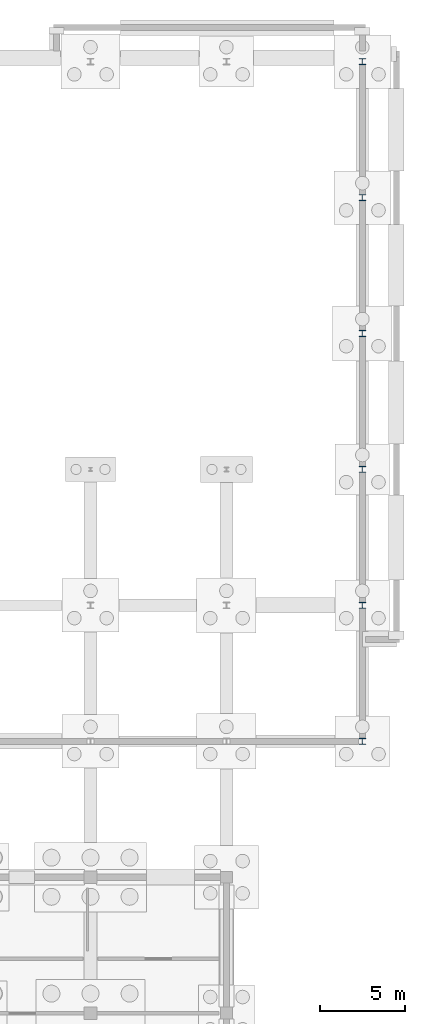
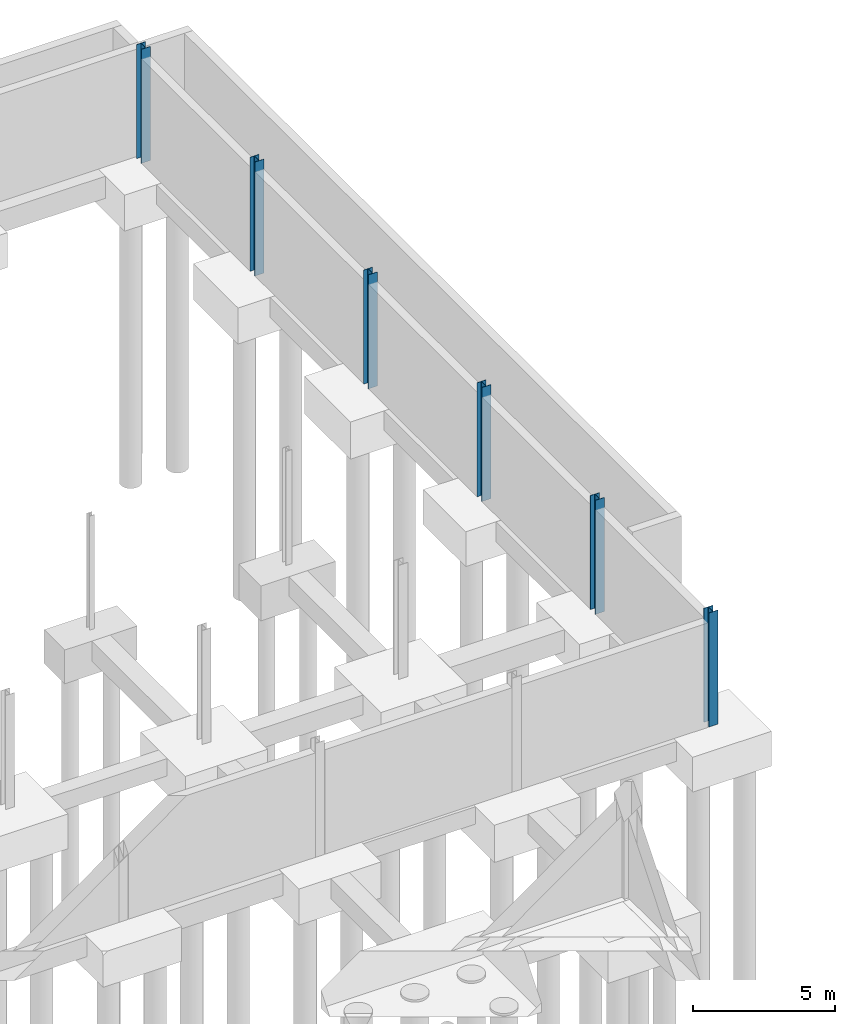
# One storey, part 35 of 51: 6 columns.
"""IFC4 building model written with IfcOpenShell, lengths in metres."""

from ifc_helpers import new_model, si_unit, direction, frame, origin, origin_2d, place, context, subcontext, project, spatial, i_section, extrude, material, material_profile, profile_set, type_object, element, save


model = new_model("IFC4")

# Units and contexts
model_context = context("Model", 3, precision=1e-05, world=origin(), true_north=direction((0.0, 1.0)))
body_context = subcontext(model_context, "Body", "Model", "MODEL_VIEW")
ifc_project = project(units=[si_unit("LENGTHUNIT", "METRE"), si_unit("AREAUNIT", "SQUARE_METRE"), si_unit("VOLUMEUNIT", "CUBIC_METRE"), si_unit("PLANEANGLEUNIT", "RADIAN"), si_unit("MASSUNIT", "GRAM", prefix="KILO")], contexts=[model_context])

# Site, building, storey
site_placement = place(None, origin())
site = spatial("IfcSite", under=ifc_project, at=site_placement, CompositionType="ELEMENT")
building_placement = place(site_placement, origin())
building = spatial("IfcBuilding", under=site, at=building_placement, Name="Jelvoka-Kovrelna Polytechnic", CompositionType="ELEMENT")
storey_placement = place(building_placement, frame((0.0, 0.0, -4.5)))
storey = spatial("IfcBuildingStorey", under=building, at=storey_placement, Name="B01", CompositionType="ELEMENT", Elevation=-4.5)

# Columns
ifc_material = material(Name="Structural steel S355JR", Category="steel")
ifc_material_profile = material_profile(ifc_material, i_section(OverallWidth=0.36865234375, OverallDepth=0.355712890625, WebThickness=0.010498046875, FlangeThickness=0.017578125, FilletRadius=0.01513671875, at=origin_2d()), Name="356x368x129 UC")
ifc_profile_set = profile_set([ifc_material_profile], Name="Structural steel S355JR")
column_type = type_object("IfcColumnType", Name="Col_Steel_UC356", PredefinedType="COLUMN", material=ifc_profile_set)
for number, where, z_axis, x_axis, name in (
    (1, (200.0, 80.0, -0.405029296875), (0.0, 0.0, 1.0), (1.0, 0.0, 0.0), "B01 column 1518"),
    (2, (200.0, 88.0, -0.405029296875), (0.0, 0.0, 1.0), (1.0, 0.0, 0.0), "B01 column 1573"),
    (3, (200.0, 96.0, -0.405029296875), (0.0, 0.0, 1.0), (1.0, 0.0, 0.0), "B01 column 1605"),
    (4, (200.0, 104.0, -0.405029296875), (0.0, 0.0, 1.0), (1.0, 0.0, 0.0), "B01 column 1611"),
    (5, (200.0, 112.0, -0.405029296875), (0.0, 0.0, 1.0), (1.0, 0.0, 0.0), "B01 column 1617"),
    (6, (200.0, 120.0, -0.405029296875), (0.0, 0.0, 1.0), (1.0, 0.0, 0.0), "B01 column 1662"),
):
    element("IfcColumn", number, at=place(storey_placement, frame(where, z_axis=z_axis, x_axis=x_axis)), inside=storey, type_object=column_type, Name=name, PredefinedType="COLUMN", context=body_context, shape_type="SweptSolid", body=[
        extrude(i_section(OverallWidth=0.36865234375, OverallDepth=0.355712890625, WebThickness=0.010498046875, FlangeThickness=0.017578125, FilletRadius=0.01513671875, at=origin_2d()), origin(), (0.0, 0.0, 1.0), 4.905029296875),
    ])

save(model, "model.ifc")
